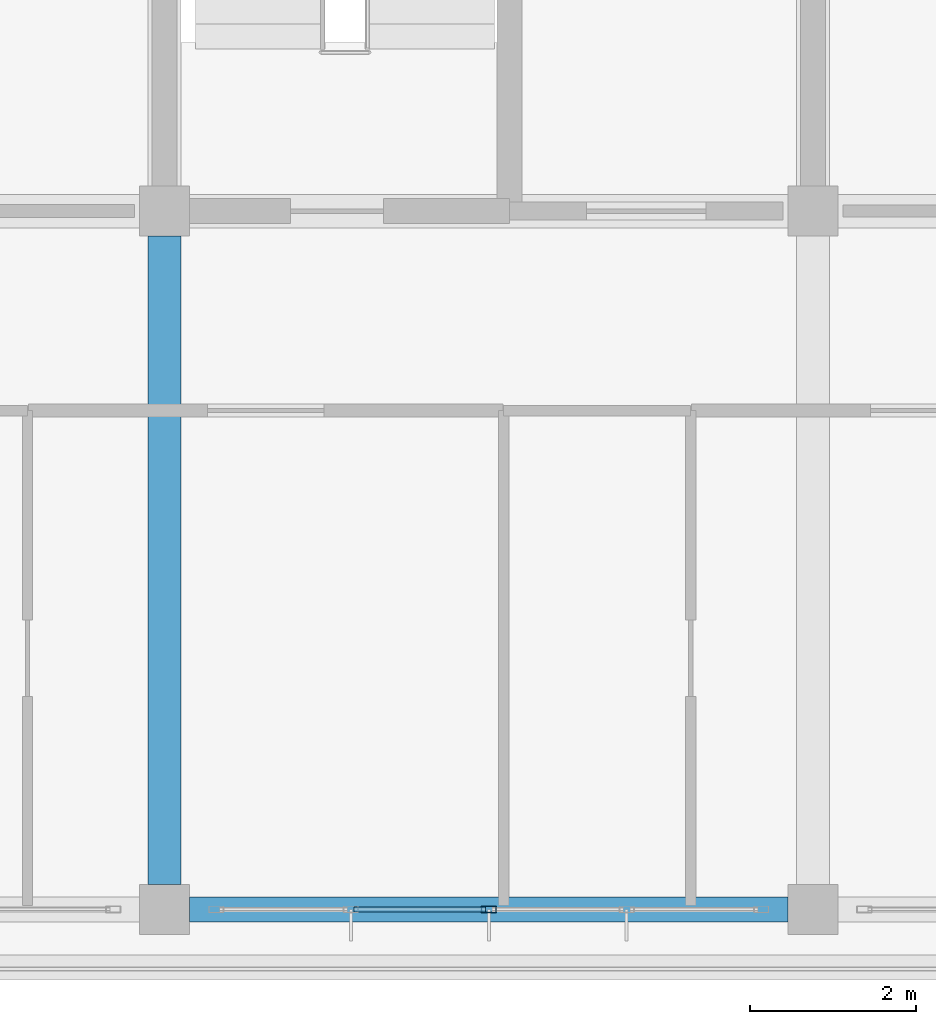
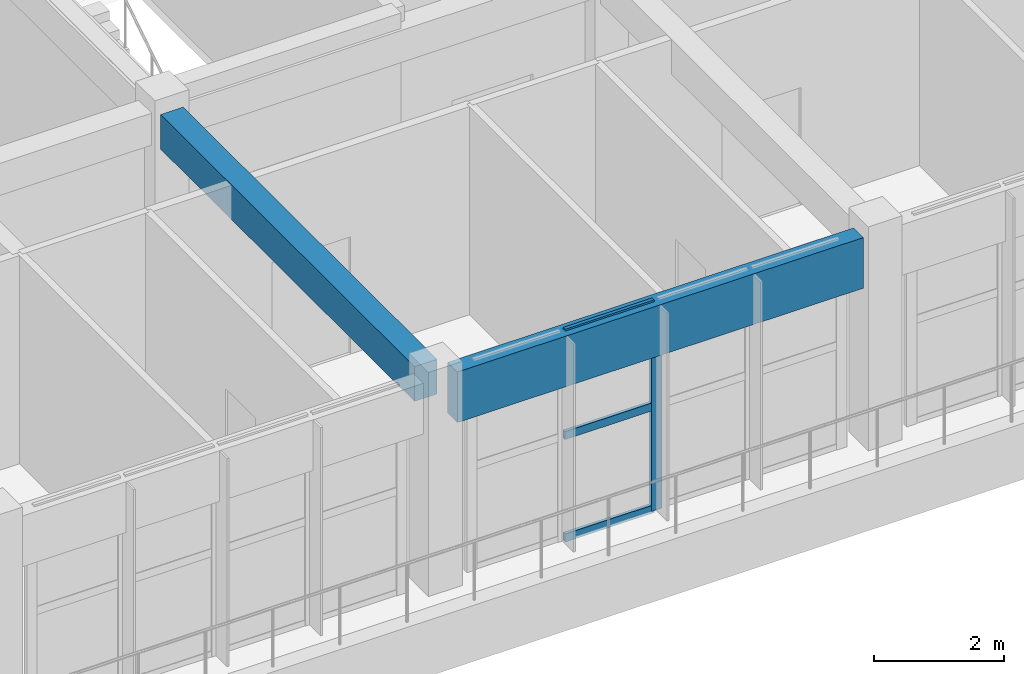
# One storey, part 15 of 56: 4 members, 2 beams, 1 element without a shape of its own.
"""IFC4 building model written with IfcOpenShell, lengths in metres."""

from ifc_helpers import new_model, si_unit, direction, frame, origin, origin_2d, place, context, subcontext, project, spatial, rectangle, hollow_rectangle, extrude, material, layer, layer_set, material_profile, profile_set, type_object, element, aggregate, save


model = new_model("IFC4")

# Units and contexts
model_context = context("Model", 3, precision=1e-05, world=origin(), true_north=direction((0.0, 1.0)))
body_context = subcontext(model_context, "Body", "Model", "MODEL_VIEW")
ifc_project = project(units=[si_unit("LENGTHUNIT", "METRE"), si_unit("AREAUNIT", "SQUARE_METRE"), si_unit("VOLUMEUNIT", "CUBIC_METRE"), si_unit("PLANEANGLEUNIT", "RADIAN"), si_unit("MASSUNIT", "GRAM", prefix="KILO")], contexts=[model_context])

# Site, building, storey
site_placement = place(None, origin())
site = spatial("IfcSite", under=ifc_project, at=site_placement, CompositionType="ELEMENT")
building_placement = place(site_placement, origin())
building = spatial("IfcBuilding", under=site, at=building_placement, Name="Zizhar Promenade General Hospital", CompositionType="ELEMENT")
storey_placement = place(building_placement, frame((0.0, 0.0, 26.39990234375)))
storey = spatial("IfcBuildingStorey", under=building, at=storey_placement, Name="L06", CompositionType="ELEMENT", Elevation=26.39990234375)

# Beams
ifc_material_1 = material(Name="Precast concrete C40/50", Category="concrete")
ifc_material_profile_1 = material_profile(ifc_material_1, rectangle(XDim=0.300048828125, YDim=0.949951171875, at=origin_2d()))
ifc_profile_set_1 = profile_set([ifc_material_profile_1], Name="Precast concrete C40/50")
beam_type_1 = type_object("IfcBeamType", Name="BM-PC-BAND950", PredefinedType="SPANDREL", material=ifc_profile_set_1)
beam_1_placement = place(storey_placement, frame((78.300048828125, 0.0, 3.43505859375), z_axis=(1.0, 0.0, 0.0), x_axis=(0.0, 1.0, 0.0)))
element("IfcBeam", 1, at=beam_1_placement, inside=storey, type_object=beam_type_1, Name="Grid Beam X L06 (10-0)", PredefinedType="SPANDREL", context=body_context, shape_type="SweptSolid", body=[
    extrude(rectangle(XDim=0.300048828125, YDim=0.949951171875, at=origin_2d()), origin(), (0.0, 0.0, 1.0), 7.199951171875),
])
ifc_material_2 = material(Name="Concrete C35/45", Category="concrete")
ifc_material_profile_2 = material_profile(ifc_material_2, rectangle(XDim=0.39990234375, YDim=0.64990234375, at=origin_2d()))
ifc_profile_set_2 = profile_set([ifc_material_profile_2], Name="Concrete C35/45")
beam_type_2 = type_object("IfcBeamType", Name="BM-RC-400x650", PredefinedType="BEAM", material=ifc_profile_set_2)
beam_2_placement = place(storey_placement, frame((78.0, 0.300048828125, 3.585205078125), z_axis=(0.0, 1.0, 0.0), x_axis=(-1.0, 0.0, 0.0)))
element("IfcBeam", 2, at=beam_2_placement, inside=storey, type_object=beam_type_2, Name="Grid Beam Y L06 (10-0)", PredefinedType="BEAM", context=body_context, shape_type="SweptSolid", body=[
    extrude(rectangle(XDim=0.39990234375, YDim=0.64990234375, at=origin_2d()), origin(), (0.0, 0.0, 1.0), 7.800048828125),
])

# Curtain wall, members
ifc_material_3 = material(Name="Anodised aluminium 6063-T6 and low-E glass", Category="aluminium")
ifc_layer = layer(ifc_material_3, 0.159912109375)
ifc_layer_set = layer_set([ifc_layer], Name="Anodised aluminium 6063-T6 and low-E glass")
curtain_wall_type = type_object("IfcCurtainWallType", Name="CW-WARD-RIB", PredefinedType="NOTDEFINED", material=ifc_layer_set)
curtain_wall_placement = place(storey_placement, origin())
curtain_wall = element("IfcCurtainWall", 3, at=curtain_wall_placement, inside=storey, type_object=curtain_wall_type, Name="Ward Ribbon Curtain Wall L06-17-4", PredefinedType="NOTDEFINED")
ifc_material_4 = material(Name="Anodised aluminium 6063-T6", Category="aluminium")
ifc_material_profile_3 = material_profile(ifc_material_4, hollow_rectangle(XDim=0.080078125, YDim=0.179931640625, WallThickness=0.0048828125, at=origin_2d()))
ifc_profile_set_3 = profile_set([ifc_material_profile_3], Name="Anodised aluminium 6063-T6")
member_type_1 = type_object("IfcMemberType", Name="CWM-ALU-180x80", PredefinedType="MULLION", material=ifc_profile_set_3)
member_1_placement = place(storey_placement, frame((81.89990234375, 0.0, 0.0), z_axis=(0.0, 0.0, 1.0), x_axis=(0.0, -1.0, 0.0)))
member_1 = element("IfcMember", 4, at=member_1_placement, type_object=member_type_1, Name="CW-13 mullion 3", PredefinedType="MULLION", context=body_context, shape_type="SweptSolid", body=[
    extrude(hollow_rectangle(XDim=0.080078125, YDim=0.179931640625, WallThickness=0.0048828125, at=origin_2d()), origin(), (0.0, 0.0, 1.0), 3.900146484375),
])
ifc_material_5 = material(Name="Anodised aluminium 6063-T6", Category="aluminium")
ifc_material_profile_4 = material_profile(ifc_material_5, hollow_rectangle(XDim=0.06005859375, YDim=0.14990234375, WallThickness=0.00390625, at=origin_2d()))
ifc_profile_set_4 = profile_set([ifc_material_profile_4], Name="Anodised aluminium 6063-T6")
member_type_2 = type_object("IfcMemberType", Name="CWT-ALU-150x60", PredefinedType="USERDEFINED", material=ifc_profile_set_4)
member_2_placement = place(storey_placement, frame((81.860107421875, 0.0, 0.030029296875), z_axis=(-1.0, 0.0, 0.0), x_axis=(0.0, -1.0, 0.0)))
member_2 = element("IfcMember", 5, at=member_2_placement, type_object=member_type_2, Name="CW-13 transom 3.1", ObjectType="TRANSOM", PredefinedType="USERDEFINED", context=body_context, shape_type="SweptSolid", body=[
    extrude(hollow_rectangle(XDim=0.06005859375, YDim=0.14990234375, WallThickness=0.00390625, at=origin_2d()), origin(), (0.0, 0.0, 1.0), 1.580078125),
])
member_3_placement = place(storey_placement, frame((81.860107421875, 0.0, 1.9501953125), z_axis=(-1.0, 0.0, 0.0), x_axis=(0.0, -1.0, 0.0)))
member_3 = element("IfcMember", 6, at=member_3_placement, type_object=member_type_2, Name="CW-13 transom 3.2", ObjectType="TRANSOM", PredefinedType="USERDEFINED", context=body_context, shape_type="SweptSolid", body=[
    extrude(hollow_rectangle(XDim=0.06005859375, YDim=0.14990234375, WallThickness=0.00390625, at=origin_2d()), origin(), (0.0, 0.0, 1.0), 1.580078125),
])
member_4_placement = place(storey_placement, frame((81.860107421875, 0.0, 3.8701171875), z_axis=(-1.0, 0.0, 0.0), x_axis=(0.0, -1.0, 0.0)))
member_4 = element("IfcMember", 7, at=member_4_placement, type_object=member_type_2, Name="CW-13 transom 3.3", ObjectType="TRANSOM", PredefinedType="USERDEFINED", context=body_context, shape_type="SweptSolid", body=[
    extrude(hollow_rectangle(XDim=0.06005859375, YDim=0.14990234375, WallThickness=0.00390625, at=origin_2d()), origin(), (0.0, 0.0, 1.0), 1.580078125),
])
aggregate(curtain_wall, [member_1, member_2, member_3, member_4])

save(model, "model.ifc")
